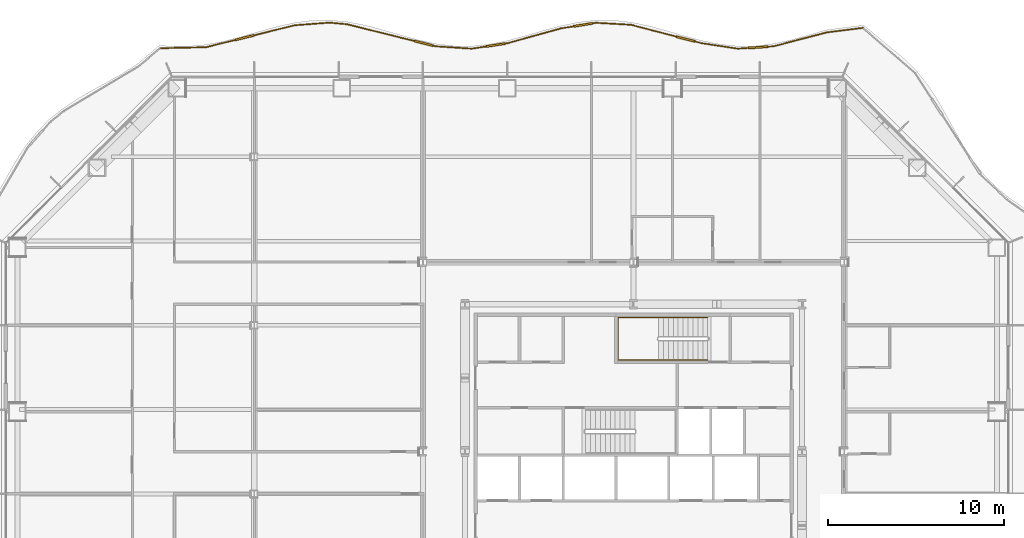
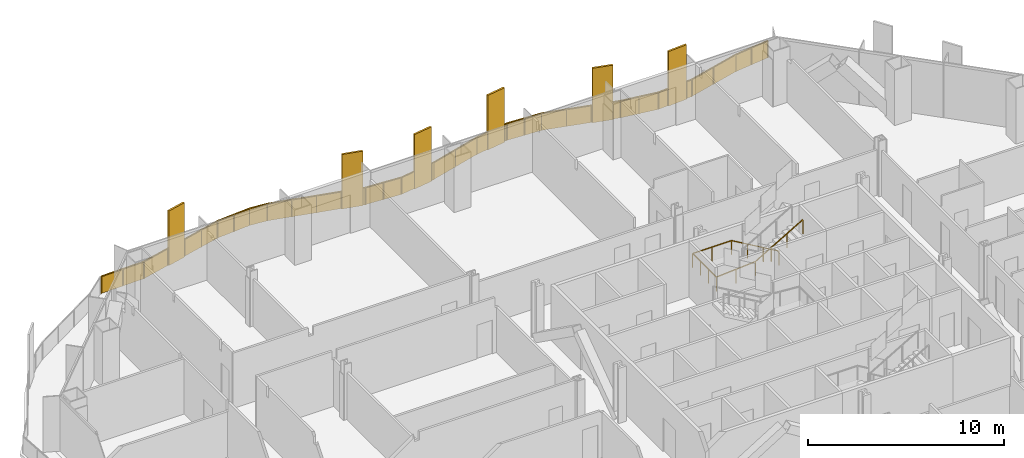
# One storey, part 20 of 21: 2 railings.
"""IFC4 building model written with IfcOpenShell, lengths in metres."""

from ifc_helpers import new_model, si_unit, direction, frame, origin, origin_2d, place, context, subcontext, project, spatial, polyline, rectangle, outline, extrude, material, type_object, element, save


model = new_model("IFC4")

# Units and contexts
model_context = context("Model", 3, precision=1e-05, world=origin(), true_north=direction((0.0, 1.0)))
body_context = subcontext(model_context, "Body", "Model", "MODEL_VIEW")
ifc_project = project(units=[si_unit("LENGTHUNIT", "METRE"), si_unit("AREAUNIT", "SQUARE_METRE"), si_unit("VOLUMEUNIT", "CUBIC_METRE"), si_unit("PLANEANGLEUNIT", "RADIAN"), si_unit("MASSUNIT", "GRAM", prefix="KILO")], contexts=[model_context])

# Site, building, storey
site_placement = place(None, origin())
site = spatial("IfcSite", under=ifc_project, at=site_placement, CompositionType="ELEMENT")
building_placement = place(site_placement, origin())
building = spatial("IfcBuilding", under=site, at=building_placement, Name="Cairn Pilgrim Tower", CompositionType="ELEMENT")
storey_placement = place(building_placement, frame((0.0, 0.0, 58.199951171875)))
storey = spatial("IfcBuildingStorey", under=building, at=storey_placement, Name="L12", CompositionType="ELEMENT", Elevation=58.199951171875)

# Railings
ifc_material_1 = material(Name="Bronze anodised aluminium rail, posts and fin screens with laminated glass infill", Category="aluminium")
railing_type_1 = type_object("IfcRailingType", Name="BALCONY GUARD WITH FIN SCREENS", PredefinedType="GUARDRAIL", material=ifc_material_1)
railing_1_placement = place(storey_placement, frame((20.271240234375, 26.544921875, 0.0)))
element("IfcRailing", 1, at=railing_1_placement, inside=storey, type_object=railing_type_1, Name="Balcony guard BGF-5 with fin screens", PredefinedType="GUARDRAIL", context=body_context, shape_type="SweptSolid", body=[
    extrude(rectangle(XDim=0.050048828125, YDim=0.050048828125, at=origin_2d()), frame((0.0, 0.0, 1.0751953125), z_axis=(-0.992254264557, -0.12422348598, 0.0), x_axis=(0.12422348598, -0.992254264557, 0.0)), (0.0, 0.0, 1.0), 2.069580078125),
    extrude(rectangle(XDim=0.050048828125, YDim=0.050048828125, at=origin_2d()), frame((-2.053466796875, -0.257080078125, 1.0751953125), z_axis=(-0.967572633197, -0.252592952176, 0.0), x_axis=(0.252592952176, -0.967572633197, 0.0)), (0.0, 0.0, 1.0), 3.137451171875),
    extrude(rectangle(XDim=1.10009765625, YDim=0.110107421875, at=origin_2d()), frame((-5.983154296875, -1.10888671875, 0.0), z_axis=(0.0, 0.0, 1.0), x_axis=(-0.997802983849, -0.066251078652, 0.0)), (0.0, 0.0, 1.0), 3.39990234375),
    extrude(rectangle(XDim=0.050048828125, YDim=0.050048828125, at=origin_2d()), frame((-5.089111328125, -1.049560546875, 1.0751953125), z_axis=(-0.997802983849, -0.066251078652, 0.0), x_axis=(0.066251078652, -0.997802983849, 0.0)), (0.0, 0.0, 1.0), 0.345947265625),
    extrude(rectangle(XDim=0.050048828125, YDim=0.050048828125, at=origin_2d()), frame((-6.531982421875, -1.145263671875, 1.0751953125), z_axis=(-0.997802983849, -0.066251078652, 0.0), x_axis=(0.066251078652, -0.997802983849, 0.0)), (0.0, 0.0, 1.0), 0.6103515625),
    extrude(rectangle(XDim=0.050048828125, YDim=0.050048828125, at=origin_2d()), frame((-7.140869140625, -1.185791015625, 1.0751953125), z_axis=(-0.988576822322, 0.150717836928, 0.0), x_axis=(-0.150717836928, -0.988576822322, 0.0)), (0.0, 0.0, 1.0), 2.068603515625),
    extrude(rectangle(XDim=1.10009765625, YDim=0.110107421875, at=origin_2d()), frame((-10.108642578125, -0.6337890625, 0.0), z_axis=(0.0, 0.0, 1.0), x_axis=(-0.967755166448, 0.251892710918, 0.0)), (0.0, 0.0, 1.0), 3.39990234375),
    extrude(rectangle(XDim=0.050048828125, YDim=0.050048828125, at=origin_2d()), frame((-9.185791015625, -0.8740234375, 1.0751953125), z_axis=(-0.967755166448, 0.251892710918, 0.0), x_axis=(-0.251892710918, -0.967755166448, 0.0)), (0.0, 0.0, 1.0), 0.40380859375),
    extrude(rectangle(XDim=0.050048828125, YDim=0.050048828125, at=origin_2d()), frame((-10.64111328125, -0.495361328125, 1.0751953125), z_axis=(-0.967755166448, 0.251892710918, 0.0), x_axis=(-0.251892710918, -0.967755166448, 0.0)), (0.0, 0.0, 1.0), 2.666015625),
    extrude(rectangle(XDim=0.050048828125, YDim=0.050048828125, at=origin_2d()), frame((-13.220947265625, 0.17626953125, 1.0751953125), z_axis=(-0.998369739446, 0.057077695814, 0.0), x_axis=(-0.057077695814, -0.998369739446, 0.0)), (0.0, 0.0, 1.0), 1.9931640625),
    extrude(rectangle(XDim=1.10009765625, YDim=0.110107421875, at=origin_2d()), frame((-15.947021484375, 0.171875, 0.0), z_axis=(0.0, 0.0, 1.0), x_axis=(-0.987374244085, -0.158404867723, 0.0)), (0.0, 0.0, 1.0), 3.39990234375),
    extrude(rectangle(XDim=0.050048828125, YDim=0.050048828125, at=origin_2d()), frame((-15.2109375, 0.2900390625, 1.0751953125), z_axis=(-0.987374244085, -0.158404867723, 0.0), x_axis=(0.158404867723, -0.987374244085, 0.0)), (0.0, 0.0, 1.0), 0.195556640625),
    extrude(rectangle(XDim=0.050048828125, YDim=0.050048828125, at=origin_2d()), frame((-16.490234375, 0.084716796875, 1.0751953125), z_axis=(-0.987374244085, -0.158404867723, 0.0), x_axis=(0.158404867723, -0.987374244085, 0.0)), (0.0, 0.0, 1.0), 0.7265625),
    extrude(rectangle(XDim=0.050048828125, YDim=0.050048828125, at=origin_2d()), frame((-17.20751953125, -0.0302734375, 1.0751953125), z_axis=(-0.963617881554, -0.267283703861, 0.0), x_axis=(0.267283703861, -0.963617881554, 0.0)), (0.0, 0.0, 1.0), 3.146728515625),
    extrude(rectangle(XDim=1.10009765625, YDim=0.110107421875, at=origin_2d()), frame((-20.931640625, -0.9775390625, 0.0), z_axis=(0.0, 0.0, 1.0), x_axis=(-0.988428898524, -0.151684912112, 0.0)), (0.0, 0.0, 1.0), 3.39990234375),
    extrude(rectangle(XDim=0.050048828125, YDim=0.050048828125, at=origin_2d()), frame((-20.23974609375, -0.871337890625, 1.0751953125), z_axis=(-0.988428898524, -0.151684912112, 0.0), x_axis=(0.151684912112, -0.988428898524, 0.0)), (0.0, 0.0, 1.0), 0.150146484375),
    extrude(rectangle(XDim=0.050048828125, YDim=0.050048828125, at=origin_2d()), frame((-21.475341796875, -1.06103515625, 1.0751953125), z_axis=(-0.988428898524, -0.151684912112, 0.0), x_axis=(0.151684912112, -0.988428898524, 0.0)), (0.0, 0.0, 1.0), 0.81982421875),
    extrude(rectangle(XDim=0.050048828125, YDim=0.050048828125, at=origin_2d()), frame((-22.28564453125, -1.185302734375, 1.0751953125), z_axis=(-0.997871039995, 0.065218000114, 0.0), x_axis=(-0.065218000114, -0.997871039995, 0.0)), (0.0, 0.0, 1.0), 2.05517578125),
    extrude(rectangle(XDim=1.10009765625, YDim=0.110107421875, at=origin_2d()), frame((-25.015869140625, -0.882568359375, 0.0), z_axis=(0.0, 0.0, 1.0), x_axis=(-0.970540995734, 0.240936040477, 0.0)), (0.0, 0.0, 1.0), 3.39990234375),
    extrude(rectangle(XDim=0.050048828125, YDim=0.050048828125, at=origin_2d()), frame((-24.33642578125, -1.05126953125, 1.0751953125), z_axis=(-0.970540995734, 0.240936040477, 0.0), x_axis=(-0.240936040477, -0.970540995734, 0.0)), (0.0, 0.0, 1.0), 0.150146484375),
    extrude(rectangle(XDim=0.050048828125, YDim=0.050048828125, at=origin_2d()), frame((-25.5498046875, -0.75, 1.0751953125), z_axis=(-0.970540995734, 0.240936040477, 0.0), x_axis=(-0.240936040477, -0.970540995734, 0.0)), (0.0, 0.0, 1.0), 3.958251953125),
    extrude(rectangle(XDim=0.050048828125, YDim=0.050048828125, at=origin_2d()), frame((-29.391357421875, 0.20361328125, 1.0751953125), z_axis=(-0.995471088297, 0.095064779832, 0.0), x_axis=(-0.095064779832, -0.995471088297, 0.0)), (0.0, 0.0, 1.0), 0.9912109375),
    extrude(rectangle(XDim=0.050048828125, YDim=0.050048828125, at=origin_2d()), frame((-30.378173828125, 0.2978515625, 1.0751953125), z_axis=(-0.997236039356, -0.074298598968, 0.0), x_axis=(0.074298598968, -0.997236039356, 0.0)), (0.0, 0.0, 1.0), 2.001220703125),
    extrude(rectangle(XDim=1.10009765625, YDim=0.110107421875, at=origin_2d()), frame((-35.2255859375, -0.557373046875, 0.0), z_axis=(0.0, 0.0, 1.0), x_axis=(-0.970655842005, -0.240472943138, 0.0)), (0.0, 0.0, 1.0), 3.39990234375),
    extrude(rectangle(XDim=0.050048828125, YDim=0.050048828125, at=origin_2d()), frame((-32.373779296875, 0.149169921875, 1.0751953125), z_axis=(-0.970655842005, -0.240472943138, 0.0), x_axis=(0.240472943138, -0.970655842005, 0.0)), (0.0, 0.0, 1.0), 2.387939453125),
    extrude(rectangle(XDim=0.050048828125, YDim=0.050048828125, at=origin_2d()), frame((-35.759521484375, -0.689697265625, 1.0751953125), z_axis=(-0.970655842005, -0.240472943138, 0.0), x_axis=(0.240472943138, -0.970655842005, 0.0)), (0.0, 0.0, 1.0), 1.72119140625),
    extrude(rectangle(XDim=0.050048828125, YDim=0.050048828125, at=origin_2d()), frame((-37.43017578125, -1.103515625, 1.0751953125), z_axis=(-0.999757349135, -0.022028228505, 0.0), x_axis=(0.022028228505, -0.999757349135, 0.0)), (0.0, 0.0, 1.0), 2.560302734375),
    extrude(rectangle(XDim=0.050048828125, YDim=0.050048828125, at=origin_2d()), origin(), (0.0, 0.0, 1.0), 1.050048828125),
    extrude(rectangle(XDim=0.050048828125, YDim=0.050048828125, at=origin_2d()), frame((-1.02685546875, -0.12841796875, 0.0)), (0.0, 0.0, 1.0), 1.050048828125),
    extrude(rectangle(XDim=0.050048828125, YDim=0.050048828125, at=origin_2d()), frame((-2.053466796875, -0.257080078125, 0.0)), (0.0, 0.0, 1.0), 1.050048828125),
    extrude(rectangle(XDim=0.050048828125, YDim=0.050048828125, at=origin_2d()), frame((-3.5712890625, -0.6533203125, 0.0)), (0.0, 0.0, 1.0), 1.050048828125),
    extrude(rectangle(XDim=0.050048828125, YDim=0.050048828125, at=origin_2d()), frame((-5.089111328125, -1.049560546875, 0.0)), (0.0, 0.0, 1.0), 1.050048828125),
    extrude(rectangle(XDim=0.050048828125, YDim=0.050048828125, at=origin_2d()), frame((-5.409423828125, -1.07080078125, 0.0)), (0.0, 0.0, 1.0), 1.050048828125),
    extrude(rectangle(XDim=0.050048828125, YDim=0.050048828125, at=origin_2d()), frame((-6.556884765625, -1.14697265625, 0.0)), (0.0, 0.0, 1.0), 1.050048828125),
    extrude(rectangle(XDim=0.050048828125, YDim=0.050048828125, at=origin_2d()), frame((-7.140869140625, -1.185791015625, 0.0)), (0.0, 0.0, 1.0), 1.050048828125),
    extrude(rectangle(XDim=0.050048828125, YDim=0.050048828125, at=origin_2d()), frame((-8.163330078125, -1.02978515625, 0.0)), (0.0, 0.0, 1.0), 1.050048828125),
    extrude(rectangle(XDim=0.050048828125, YDim=0.050048828125, at=origin_2d()), frame((-9.185791015625, -0.8740234375, 0.0)), (0.0, 0.0, 1.0), 1.050048828125),
    extrude(rectangle(XDim=0.050048828125, YDim=0.050048828125, at=origin_2d()), frame((-9.55224609375, -0.778564453125, 0.0)), (0.0, 0.0, 1.0), 1.050048828125),
    extrude(rectangle(XDim=0.050048828125, YDim=0.050048828125, at=origin_2d()), frame((-10.665283203125, -0.489013671875, 0.0)), (0.0, 0.0, 1.0), 1.050048828125),
    extrude(rectangle(XDim=0.050048828125, YDim=0.050048828125, at=origin_2d()), frame((-11.943115234375, -0.15625, 0.0)), (0.0, 0.0, 1.0), 1.050048828125),
    extrude(rectangle(XDim=0.050048828125, YDim=0.050048828125, at=origin_2d()), frame((-13.220947265625, 0.17626953125, 0.0)), (0.0, 0.0, 1.0), 1.050048828125),
    extrude(rectangle(XDim=0.050048828125, YDim=0.050048828125, at=origin_2d()), frame((-14.2158203125, 0.233154296875, 0.0)), (0.0, 0.0, 1.0), 1.050048828125),
    extrude(rectangle(XDim=0.050048828125, YDim=0.050048828125, at=origin_2d()), frame((-15.2109375, 0.2900390625, 0.0)), (0.0, 0.0, 1.0), 1.050048828125),
    extrude(rectangle(XDim=0.050048828125, YDim=0.050048828125, at=origin_2d()), frame((-15.37939453125, 0.262939453125, 0.0)), (0.0, 0.0, 1.0), 1.050048828125),
    extrude(rectangle(XDim=0.050048828125, YDim=0.050048828125, at=origin_2d()), frame((-16.514892578125, 0.080810546875, 0.0)), (0.0, 0.0, 1.0), 1.050048828125),
    extrude(rectangle(XDim=0.050048828125, YDim=0.050048828125, at=origin_2d()), frame((-17.20751953125, -0.0302734375, 0.0)), (0.0, 0.0, 1.0), 1.050048828125),
    extrude(rectangle(XDim=0.050048828125, YDim=0.050048828125, at=origin_2d()), frame((-18.7236328125, -0.45068359375, 0.0)), (0.0, 0.0, 1.0), 1.050048828125),
    extrude(rectangle(XDim=0.050048828125, YDim=0.050048828125, at=origin_2d()), frame((-20.23974609375, -0.871337890625, 0.0)), (0.0, 0.0, 1.0), 1.050048828125),
    extrude(rectangle(XDim=0.050048828125, YDim=0.050048828125, at=origin_2d()), frame((-20.36328125, -0.890380859375, 0.0)), (0.0, 0.0, 1.0), 1.050048828125),
    extrude(rectangle(XDim=0.050048828125, YDim=0.050048828125, at=origin_2d()), frame((-21.5, -1.064697265625, 0.0)), (0.0, 0.0, 1.0), 1.050048828125),
    extrude(rectangle(XDim=0.050048828125, YDim=0.050048828125, at=origin_2d()), frame((-22.28564453125, -1.185302734375, 0.0)), (0.0, 0.0, 1.0), 1.050048828125),
    extrude(rectangle(XDim=0.050048828125, YDim=0.050048828125, at=origin_2d()), frame((-23.31103515625, -1.1181640625, 0.0)), (0.0, 0.0, 1.0), 1.050048828125),
    extrude(rectangle(XDim=0.050048828125, YDim=0.050048828125, at=origin_2d()), frame((-24.33642578125, -1.05126953125, 0.0)), (0.0, 0.0, 1.0), 1.050048828125),
    extrude(rectangle(XDim=0.050048828125, YDim=0.050048828125, at=origin_2d()), frame((-24.457763671875, -1.021240234375, 0.0)), (0.0, 0.0, 1.0), 1.050048828125),
    extrude(rectangle(XDim=0.050048828125, YDim=0.050048828125, at=origin_2d()), frame((-25.573974609375, -0.744140625, 0.0)), (0.0, 0.0, 1.0), 1.050048828125),
    extrude(rectangle(XDim=0.050048828125, YDim=0.050048828125, at=origin_2d()), frame((-26.846435546875, -0.42822265625, 0.0)), (0.0, 0.0, 1.0), 1.050048828125),
    extrude(rectangle(XDim=0.050048828125, YDim=0.050048828125, at=origin_2d()), frame((-28.118896484375, -0.1123046875, 0.0)), (0.0, 0.0, 1.0), 1.050048828125),
    extrude(rectangle(XDim=0.050048828125, YDim=0.050048828125, at=origin_2d()), frame((-29.391357421875, 0.20361328125, 0.0)), (0.0, 0.0, 1.0), 1.050048828125),
    extrude(rectangle(XDim=0.050048828125, YDim=0.050048828125, at=origin_2d()), frame((-30.378173828125, 0.2978515625, 0.0)), (0.0, 0.0, 1.0), 1.050048828125),
    extrude(rectangle(XDim=0.050048828125, YDim=0.050048828125, at=origin_2d()), frame((-31.3759765625, 0.2236328125, 0.0)), (0.0, 0.0, 1.0), 1.050048828125),
    extrude(rectangle(XDim=0.050048828125, YDim=0.050048828125, at=origin_2d()), frame((-32.373779296875, 0.149169921875, 0.0)), (0.0, 0.0, 1.0), 1.050048828125),
    extrude(rectangle(XDim=0.050048828125, YDim=0.050048828125, at=origin_2d()), frame((-33.5205078125, -0.135009765625, 0.0)), (0.0, 0.0, 1.0), 1.050048828125),
    extrude(rectangle(XDim=0.050048828125, YDim=0.050048828125, at=origin_2d()), frame((-34.66748046875, -0.4189453125, 0.0)), (0.0, 0.0, 1.0), 1.050048828125),
    extrude(rectangle(XDim=0.050048828125, YDim=0.050048828125, at=origin_2d()), frame((-35.78369140625, -0.695556640625, 0.0)), (0.0, 0.0, 1.0), 1.050048828125),
    extrude(rectangle(XDim=0.050048828125, YDim=0.050048828125, at=origin_2d()), frame((-37.43017578125, -1.103515625, 0.0)), (0.0, 0.0, 1.0), 1.050048828125),
    extrude(rectangle(XDim=0.050048828125, YDim=0.050048828125, at=origin_2d()), frame((-38.7099609375, -1.1318359375, 0.0)), (0.0, 0.0, 1.0), 1.050048828125),
    extrude(rectangle(XDim=0.050048828125, YDim=0.050048828125, at=origin_2d()), frame((-39.98974609375, -1.159912109375, 0.0)), (0.0, 0.0, 1.0), 1.050048828125),
    extrude(outline(polyline([(0.02490234375, 0.0), (1.009765625, 0.0), (1.009765625, 1.050048828125), (0.02490234375, 1.050048828125), (0.02490234375, 0.0)])), frame((0.000732421875, -0.005859375, 0.0), z_axis=(-0.12422348598, 0.992254264557, 0.0), x_axis=(-0.992254264557, -0.12422348598, 0.0)), (0.0, 0.0, 1.0), 0.011962890625),
    extrude(outline(polyline([(0.02490234375, 0.0), (1.009765625, 0.0), (1.009765625, 1.050048828125), (0.02490234375, 1.050048828125), (0.02490234375, 0.0)])), frame((-1.02587890625, -0.134521484375, 0.0), z_axis=(-0.12422348598, 0.992254264557, 0.0), x_axis=(-0.992254264557, -0.12422348598, 0.0)), (0.0, 0.0, 1.0), 0.011962890625),
    extrude(outline(polyline([(0.02490234375, 0.0), (1.543701171875, 0.0), (1.543701171875, 1.050048828125), (0.02490234375, 1.050048828125), (0.02490234375, 0.0)])), frame((-2.052001953125, -0.262939453125, 0.0), z_axis=(-0.252592952176, 0.967572633197, 0.0), x_axis=(-0.967572633197, -0.252592952176, 0.0)), (0.0, 0.0, 1.0), 0.011962890625),
    extrude(outline(polyline([(0.02490234375, 0.0), (1.543701171875, 0.0), (1.543701171875, 1.050048828125), (0.02490234375, 1.050048828125), (0.02490234375, 0.0)])), frame((-3.56982421875, -0.6591796875, 0.0), z_axis=(-0.252592952176, 0.967572633197, 0.0), x_axis=(-0.967572633197, -0.252592952176, 0.0)), (0.0, 0.0, 1.0), 0.011962890625),
    extrude(outline(polyline([(0.02490234375, 0.0), (0.2958984375, 0.0), (0.2958984375, 1.050048828125), (0.02490234375, 1.050048828125), (0.02490234375, 0.0)])), frame((-5.088623046875, -1.055419921875, 0.0), z_axis=(-0.066251078652, 0.997802983849, 0.0), x_axis=(-0.997802983849, -0.066251078652, 0.0)), (0.0, 0.0, 1.0), 0.011962890625),
    extrude(outline(polyline([(0.02490234375, 0.0), (0.560302734375, 0.0), (0.560302734375, 1.050048828125), (0.02490234375, 1.050048828125), (0.02490234375, 0.0)])), frame((-6.556640625, -1.153076171875, 0.0), z_axis=(-0.066251078652, 0.997802983849, 0.0), x_axis=(-0.997802983849, -0.066251078652, 0.0)), (0.0, 0.0, 1.0), 0.011962890625),
    extrude(outline(polyline([(0.02490234375, 0.0), (1.00927734375, 0.0), (1.00927734375, 1.050048828125), (0.02490234375, 1.050048828125), (0.02490234375, 0.0)])), frame((-7.141845703125, -1.191650390625, 0.0), z_axis=(0.150717836928, 0.988576822322, 0.0), x_axis=(-0.988576822322, 0.150717836928, 0.0)), (0.0, 0.0, 1.0), 0.011962890625),
    extrude(outline(polyline([(0.02490234375, 0.0), (1.00927734375, 0.0), (1.00927734375, 1.050048828125), (0.02490234375, 1.050048828125), (0.02490234375, 0.0)])), frame((-8.164306640625, -1.035888671875, 0.0), z_axis=(0.150717836928, 0.988576822322, 0.0), x_axis=(-0.988576822322, 0.150717836928, 0.0)), (0.0, 0.0, 1.0), 0.011962890625),
    extrude(outline(polyline([(0.02490234375, 0.0), (0.353759765625, 0.0), (0.353759765625, 1.050048828125), (0.02490234375, 1.050048828125), (0.02490234375, 0.0)])), frame((-9.187255859375, -0.8798828125, 0.0), z_axis=(0.251892710918, 0.967755166448, 0.0), x_axis=(-0.967755166448, 0.251892710918, 0.0)), (0.0, 0.0, 1.0), 0.011962890625),
    extrude(outline(polyline([(0.02490234375, 0.0), (1.29541015625, 0.0), (1.29541015625, 1.050048828125), (0.02490234375, 1.050048828125), (0.02490234375, 0.0)])), frame((-10.666748046875, -0.49462890625, 0.0), z_axis=(0.251892710918, 0.967755166448, 0.0), x_axis=(-0.967755166448, 0.251892710918, 0.0)), (0.0, 0.0, 1.0), 0.011962890625),
    extrude(outline(polyline([(0.02490234375, 0.0), (1.29541015625, 0.0), (1.29541015625, 1.050048828125), (0.02490234375, 1.050048828125), (0.02490234375, 0.0)])), frame((-11.944580078125, -0.162109375, 0.0), z_axis=(0.251892710918, 0.967755166448, 0.0), x_axis=(-0.967755166448, 0.251892710918, 0.0)), (0.0, 0.0, 1.0), 0.011962890625),
    extrude(outline(polyline([(0.02490234375, 0.0), (0.9716796875, 0.0), (0.9716796875, 1.050048828125), (0.02490234375, 1.050048828125), (0.02490234375, 0.0)])), frame((-13.22119140625, 0.17041015625, 0.0), z_axis=(0.057077695814, 0.998369739446, 0.0), x_axis=(-0.998369739446, 0.057077695814, 0.0)), (0.0, 0.0, 1.0), 0.011962890625),
    extrude(outline(polyline([(0.02490234375, 0.0), (0.9716796875, 0.0), (0.9716796875, 1.050048828125), (0.02490234375, 1.050048828125), (0.02490234375, 0.0)])), frame((-14.21630859375, 0.227294921875, 0.0), z_axis=(0.057077695814, 0.998369739446, 0.0), x_axis=(-0.998369739446, 0.057077695814, 0.0)), (0.0, 0.0, 1.0), 0.011962890625),
    extrude(outline(polyline([(0.02490234375, 0.0), (0.1455078125, 0.0), (0.1455078125, 1.050048828125), (0.02490234375, 1.050048828125), (0.02490234375, 0.0)])), frame((-15.2099609375, 0.2841796875, 0.0), z_axis=(-0.158404867723, 0.987374244085, 0.0), x_axis=(-0.987374244085, -0.158404867723, 0.0)), (0.0, 0.0, 1.0), 0.011962890625),
    extrude(outline(polyline([(0.02490234375, 0.0), (0.676513671875, 0.0), (0.676513671875, 1.050048828125), (0.02490234375, 1.050048828125), (0.02490234375, 0.0)])), frame((-16.513916015625, 0.074951171875, 0.0), z_axis=(-0.158404867723, 0.987374244085, 0.0), x_axis=(-0.987374244085, -0.158404867723, 0.0)), (0.0, 0.0, 1.0), 0.011962890625),
    extrude(outline(polyline([(0.02490234375, 0.0), (1.54833984375, 0.0), (1.54833984375, 1.050048828125), (0.02490234375, 1.050048828125), (0.02490234375, 0.0)])), frame((-17.205810546875, -0.0361328125, 0.0), z_axis=(-0.267283703861, 0.963617881554, 0.0), x_axis=(-0.963617881554, -0.267283703861, 0.0)), (0.0, 0.0, 1.0), 0.011962890625),
    extrude(outline(polyline([(0.02490234375, 0.0), (1.54833984375, 0.0), (1.54833984375, 1.050048828125), (0.02490234375, 1.050048828125), (0.02490234375, 0.0)])), frame((-18.721923828125, -0.45654296875, 0.0), z_axis=(-0.267283703861, 0.963617881554, 0.0), x_axis=(-0.963617881554, -0.267283703861, 0.0)), (0.0, 0.0, 1.0), 0.011962890625),
    extrude(outline(polyline([(0.02490234375, 0.0), (0.10009765625, 0.0), (0.10009765625, 1.050048828125), (0.02490234375, 1.050048828125), (0.02490234375, 0.0)])), frame((-20.23876953125, -0.877197265625, 0.0), z_axis=(-0.151684912112, 0.988428898524, 0.0), x_axis=(-0.988428898524, -0.151684912112, 0.0)), (0.0, 0.0, 1.0), 0.011962890625),
    extrude(outline(polyline([(0.02490234375, 0.0), (0.769775390625, 0.0), (0.769775390625, 1.050048828125), (0.02490234375, 1.050048828125), (0.02490234375, 0.0)])), frame((-21.4990234375, -1.070556640625, 0.0), z_axis=(-0.151684912112, 0.988428898524, 0.0), x_axis=(-0.988428898524, -0.151684912112, 0.0)), (0.0, 0.0, 1.0), 0.011962890625),
    extrude(outline(polyline([(0.02490234375, 0.0), (1.00244140625, 0.0), (1.00244140625, 1.050048828125), (0.02490234375, 1.050048828125), (0.02490234375, 0.0)])), frame((-22.2861328125, -1.191162109375, 0.0), z_axis=(0.065218000114, 0.997871039995, 0.0), x_axis=(-0.997871039995, 0.065218000114, 0.0)), (0.0, 0.0, 1.0), 0.011962890625),
    extrude(outline(polyline([(0.02490234375, 0.0), (1.00244140625, 0.0), (1.00244140625, 1.050048828125), (0.02490234375, 1.050048828125), (0.02490234375, 0.0)])), frame((-23.3115234375, -1.124267578125, 0.0), z_axis=(0.065218000114, 0.997871039995, 0.0), x_axis=(-0.997871039995, 0.065218000114, 0.0)), (0.0, 0.0, 1.0), 0.011962890625),
    extrude(outline(polyline([(0.02490234375, 0.0), (0.10009765625, 0.0), (0.10009765625, 1.050048828125), (0.02490234375, 1.050048828125), (0.02490234375, 0.0)])), frame((-24.337890625, -1.05712890625, 0.0), z_axis=(0.240936040477, 0.970540995734, 0.0), x_axis=(-0.970540995734, 0.240936040477, 0.0)), (0.0, 0.0, 1.0), 0.011962890625),
    extrude(outline(polyline([(0.02490234375, 0.0), (1.2861328125, 0.0), (1.2861328125, 1.050048828125), (0.02490234375, 1.050048828125), (0.02490234375, 0.0)])), frame((-25.575439453125, -0.749755859375, 0.0), z_axis=(0.240936040477, 0.970540995734, 0.0), x_axis=(-0.970540995734, 0.240936040477, 0.0)), (0.0, 0.0, 1.0), 0.011962890625),
    extrude(outline(polyline([(0.02490234375, 0.0), (1.2861328125, 0.0), (1.2861328125, 1.050048828125), (0.02490234375, 1.050048828125), (0.02490234375, 0.0)])), frame((-26.847900390625, -0.43408203125, 0.0), z_axis=(0.240936040477, 0.970540995734, 0.0), x_axis=(-0.970540995734, 0.240936040477, 0.0)), (0.0, 0.0, 1.0), 0.011962890625),
    extrude(outline(polyline([(0.02490234375, 0.0), (1.2861328125, 0.0), (1.2861328125, 1.050048828125), (0.02490234375, 1.050048828125), (0.02490234375, 0.0)])), frame((-28.120361328125, -0.1181640625, 0.0), z_axis=(0.240936040477, 0.970540995734, 0.0), x_axis=(-0.970540995734, 0.240936040477, 0.0)), (0.0, 0.0, 1.0), 0.011962890625),
    extrude(outline(polyline([(0.02490234375, 0.0), (0.96630859375, 0.0), (0.96630859375, 1.050048828125), (0.02490234375, 1.050048828125), (0.02490234375, 0.0)])), frame((-29.391845703125, 0.19775390625, 0.0), z_axis=(0.095064779832, 0.995471088297, 0.0), x_axis=(-0.995471088297, 0.095064779832, 0.0)), (0.0, 0.0, 1.0), 0.011962890625),
    extrude(outline(polyline([(0.02490234375, 0.0), (0.9755859375, 0.0), (0.9755859375, 1.050048828125), (0.02490234375, 1.050048828125), (0.02490234375, 0.0)])), frame((-30.377685546875, 0.2919921875, 0.0), z_axis=(-0.074298598968, 0.997236039356, 0.0), x_axis=(-0.997236039356, -0.074298598968, 0.0)), (0.0, 0.0, 1.0), 0.011962890625),
    extrude(outline(polyline([(0.02490234375, 0.0), (0.9755859375, 0.0), (0.9755859375, 1.050048828125), (0.02490234375, 1.050048828125), (0.02490234375, 0.0)])), frame((-31.37548828125, 0.217529296875, 0.0), z_axis=(-0.074298598968, 0.997236039356, 0.0), x_axis=(-0.997236039356, -0.074298598968, 0.0)), (0.0, 0.0, 1.0), 0.011962890625),
    extrude(outline(polyline([(0.02490234375, 0.0), (1.156494140625, 0.0), (1.156494140625, 1.050048828125), (0.02490234375, 1.050048828125), (0.02490234375, 0.0)])), frame((-32.372314453125, 0.143310546875, 0.0), z_axis=(-0.240472943138, 0.970655842005, 0.0), x_axis=(-0.970655842005, -0.240472943138, 0.0)), (0.0, 0.0, 1.0), 0.011962890625),
    extrude(outline(polyline([(0.02490234375, 0.0), (1.156494140625, 0.0), (1.156494140625, 1.050048828125), (0.02490234375, 1.050048828125), (0.02490234375, 0.0)])), frame((-33.519287109375, -0.140869140625, 0.0), z_axis=(-0.240472943138, 0.970655842005, 0.0), x_axis=(-0.970655842005, -0.240472943138, 0.0)), (0.0, 0.0, 1.0), 0.011962890625),
    extrude(outline(polyline([(0.02490234375, 0.0), (1.671142578125, 0.0), (1.671142578125, 1.050048828125), (0.02490234375, 1.050048828125), (0.02490234375, 0.0)])), frame((-35.7822265625, -0.701416015625, 0.0), z_axis=(-0.240472943138, 0.970655842005, 0.0), x_axis=(-0.970655842005, -0.240472943138, 0.0)), (0.0, 0.0, 1.0), 0.011962890625),
    extrude(outline(polyline([(0.02490234375, 0.0), (1.255126953125, 0.0), (1.255126953125, 1.050048828125), (0.02490234375, 1.050048828125), (0.02490234375, 0.0)])), frame((-37.429931640625, -1.109375, 0.0), z_axis=(-0.022028228505, 0.999757349135, 0.0), x_axis=(-0.999757349135, -0.022028228505, 0.0)), (0.0, 0.0, 1.0), 0.011962890625),
    extrude(outline(polyline([(0.02490234375, 0.0), (1.255126953125, 0.0), (1.255126953125, 1.050048828125), (0.02490234375, 1.050048828125), (0.02490234375, 0.0)])), frame((-38.709716796875, -1.1376953125, 0.0), z_axis=(-0.022028228505, 0.999757349135, 0.0), x_axis=(-0.999757349135, -0.022028228505, 0.0)), (0.0, 0.0, 1.0), 0.011962890625),
])
ifc_material_2 = material(Name="Painted steel", Category="steel")
railing_type_2 = type_object("IfcRailingType", Name="STAIR HANDRAIL 900", PredefinedType="HANDRAIL", material=ifc_material_2)
railing_2_placement = place(storey_placement, frame((11.425048828125, 10.050048828125, 0.16357421875)))
element("IfcRailing", 2, at=railing_2_placement, inside=storey, type_object=railing_type_2, Name="L12 ST-C stair handrail 1", PredefinedType="HANDRAIL", context=body_context, shape_type="SweptSolid", body=[
    extrude(rectangle(XDim=0.048095703125, YDim=0.048095703125, at=origin_2d()), frame((0.0, 0.0, 0.8759765625), z_axis=(-0.863360870873, 0.0, 0.504586966384), x_axis=(0.0, -1.0, 0.0)), (0.0, 0.0, 1.0), 3.2431640625),
    extrude(rectangle(XDim=0.048095703125, YDim=0.048095703125, at=origin_2d()), frame((-2.800048828125, 0.0, 2.51220703125), z_axis=(-1.0, 0.0, 0.0), x_axis=(0.0, -1.0, 0.0)), (0.0, 0.0, 1.0), 2.300048828125),
    extrude(rectangle(XDim=0.048095703125, YDim=0.048095703125, at=origin_2d()), frame((-5.10009765625, 0.0, 2.51220703125), z_axis=(0.0, -1.0, 0.0), x_axis=(1.0, 0.0, 0.0)), (0.0, 0.0, 1.0), 2.425048828125),
    extrude(rectangle(XDim=0.048095703125, YDim=0.048095703125, at=origin_2d()), frame((-5.10009765625, -2.425048828125, 2.51220703125), z_axis=(0.997480687736, 0.0, 0.070938548008), x_axis=(0.0, 1.0, 0.0)), (0.0, 0.0, 1.0), 2.305908203125),
    extrude(rectangle(XDim=0.048095703125, YDim=0.048095703125, at=origin_2d()), frame((-2.800048828125, -2.425048828125, 2.67578125), z_axis=(0.863360870873, 0.0, 0.504586966384), x_axis=(0.0, 1.0, 0.0)), (0.0, 0.0, 1.0), 3.2431640625),
    extrude(rectangle(XDim=0.0419921875, YDim=0.0419921875, at=origin_2d()), origin(), (0.0, 0.0, 1.0), 0.851806640625),
    extrude(rectangle(XDim=0.0419921875, YDim=0.0419921875, at=origin_2d()), frame((-0.933349609375, 0.0, 0.54541015625)), (0.0, 0.0, 1.0), 0.851806640625),
    extrude(rectangle(XDim=0.0419921875, YDim=0.0419921875, at=origin_2d()), frame((-1.86669921875, 0.0, 1.091064453125)), (0.0, 0.0, 1.0), 0.851806640625),
    extrude(rectangle(XDim=0.0419921875, YDim=0.0419921875, at=origin_2d()), frame((-2.800048828125, 0.0, 1.636474609375)), (0.0, 0.0, 1.0), 0.851806640625),
    extrude(rectangle(XDim=0.0419921875, YDim=0.0419921875, at=origin_2d()), frame((-3.9501953125, 0.0, 1.636474609375)), (0.0, 0.0, 1.0), 0.851806640625),
    extrude(rectangle(XDim=0.0419921875, YDim=0.0419921875, at=origin_2d()), frame((-5.10009765625, 0.0, 1.636474609375)), (0.0, 0.0, 1.0), 0.851806640625),
    extrude(rectangle(XDim=0.0419921875, YDim=0.0419921875, at=origin_2d()), frame((-5.10009765625, -0.808349609375, 1.636474609375)), (0.0, 0.0, 1.0), 0.851806640625),
    extrude(rectangle(XDim=0.0419921875, YDim=0.0419921875, at=origin_2d()), frame((-5.10009765625, -1.61669921875, 1.636474609375)), (0.0, 0.0, 1.0), 0.851806640625),
    extrude(rectangle(XDim=0.0419921875, YDim=0.0419921875, at=origin_2d()), frame((-5.10009765625, -2.425048828125, 1.636474609375)), (0.0, 0.0, 1.0), 0.851806640625),
    extrude(rectangle(XDim=0.0419921875, YDim=0.0419921875, at=origin_2d()), frame((-3.9501953125, -2.425048828125, 1.71826171875)), (0.0, 0.0, 1.0), 0.851806640625),
    extrude(rectangle(XDim=0.0419921875, YDim=0.0419921875, at=origin_2d()), frame((-2.800048828125, -2.425048828125, 1.800048828125)), (0.0, 0.0, 1.0), 0.851806640625),
    extrude(rectangle(XDim=0.0419921875, YDim=0.0419921875, at=origin_2d()), frame((-1.86669921875, -2.425048828125, 2.345458984375)), (0.0, 0.0, 1.0), 0.851806640625),
    extrude(rectangle(XDim=0.0419921875, YDim=0.0419921875, at=origin_2d()), frame((-0.933349609375, -2.425048828125, 2.89111328125)), (0.0, 0.0, 1.0), 0.851806640625),
    extrude(rectangle(XDim=0.0419921875, YDim=0.0419921875, at=origin_2d()), frame((0.0, -2.425048828125, 3.4365234375)), (0.0, 0.0, 1.0), 0.851806640625),
])

save(model, "model.ifc")
